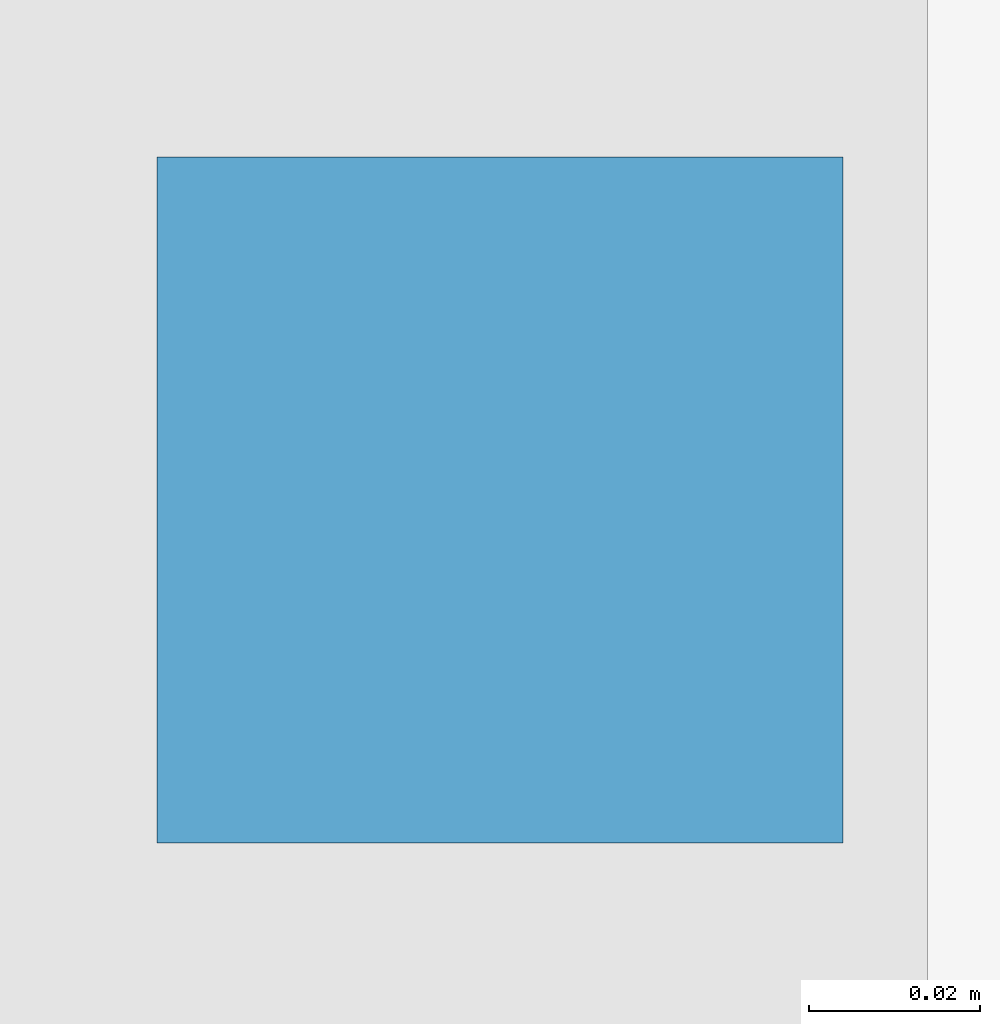
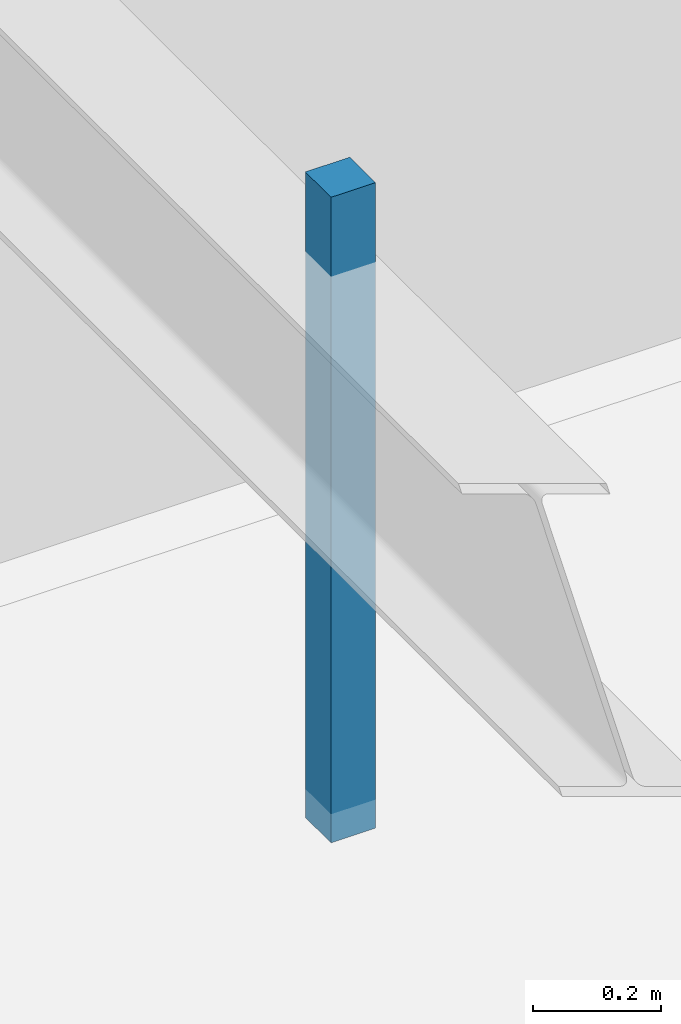
# One storey, part 112 of 126: 1 discrete accessory.
"""IFC4 building model written with IfcOpenShell, lengths in metres."""

from ifc_helpers import new_model, si_unit, direction, frame, origin, origin_2d, place, context, subcontext, project, spatial, rectangle, extrude, material, layer, layer_set, type_object, element, save


model = new_model("IFC4")

# Units and contexts
model_context = context("Model", 3, precision=1e-05, world=origin(), true_north=direction((0.0, 1.0)))
body_context = subcontext(model_context, "Body", "Model", "MODEL_VIEW")
ifc_project = project(units=[si_unit("LENGTHUNIT", "METRE"), si_unit("AREAUNIT", "SQUARE_METRE"), si_unit("VOLUMEUNIT", "CUBIC_METRE"), si_unit("PLANEANGLEUNIT", "RADIAN"), si_unit("MASSUNIT", "GRAM", prefix="KILO")], contexts=[model_context])

# Site, building, storey
site_placement = place(None, origin())
site = spatial("IfcSite", under=ifc_project, at=site_placement, CompositionType="ELEMENT")
building_placement = place(site_placement, origin())
building = spatial("IfcBuilding", under=site, at=building_placement, Name="Varnabhumi Central Station", CompositionType="ELEMENT")
storey_placement = place(building_placement, frame((0.0, 0.0, 16.199951171875)))
storey = spatial("IfcBuildingStorey", under=building, at=storey_placement, Name="L03", CompositionType="ELEMENT", Elevation=16.199951171875)

# Discrete accessory
ifc_material = material(Name="Structural steel E350", Category="steel")
ifc_layer = layer(ifc_material, 0.159912109375, Name="Structural steel E350", Category="steel")
ifc_layer_set = layer_set([ifc_layer], Name="Structural steel E350")
discrete_accessory_type = type_object("IfcDiscreteAccessoryType", Name="ACC-SHADE-BRKT", PredefinedType="BRACKET", material=ifc_layer_set)
discrete_accessory_placement = place(storey_placement, frame((132.050048828125, 4.5, 2.840087890625), z_axis=(0.0, 0.0, 1.0), x_axis=(1.0, 0.0, 0.0)))
element("IfcDiscreteAccessory", 1, at=discrete_accessory_placement, inside=storey, type_object=discrete_accessory_type, Name="Timetable and Movement Records Store Ceiling Hanger", PredefinedType="BRACKET", context=body_context, shape_type="SweptSolid", body=[
    extrude(rectangle(XDim=0.080078125, YDim=0.080078125, at=origin_2d()), origin(), (0.0, 0.0, 1.0), 1.22998046875),
])

save(model, "model.ifc")
